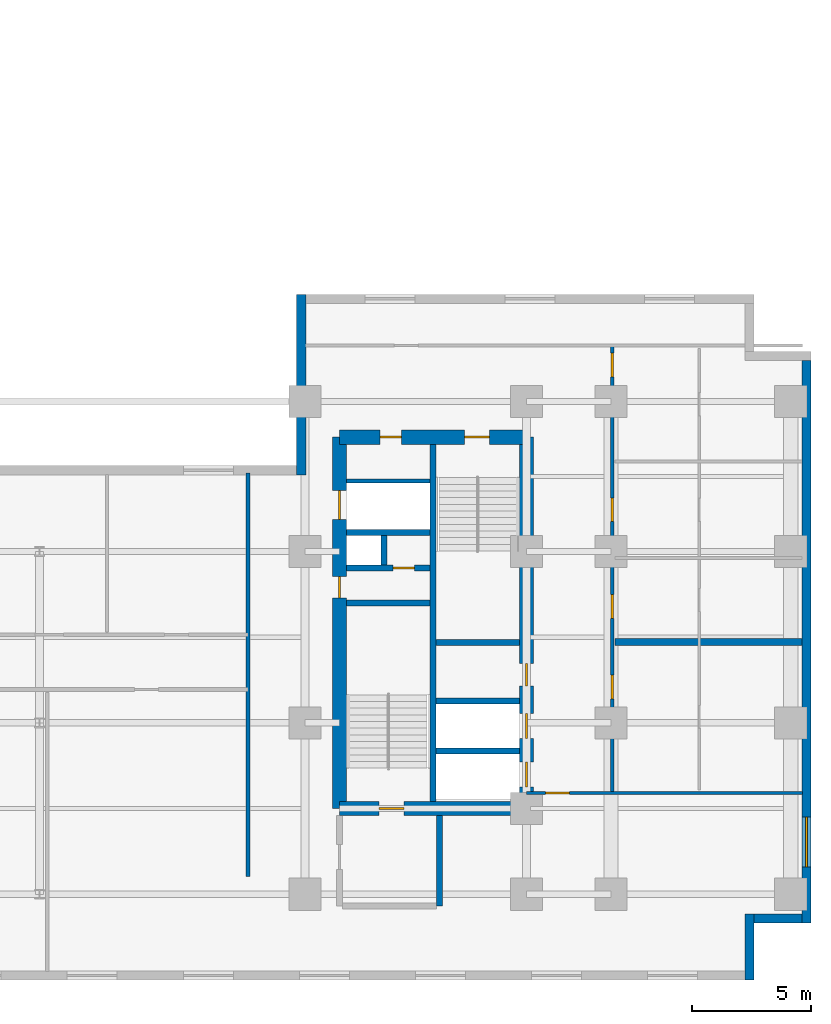
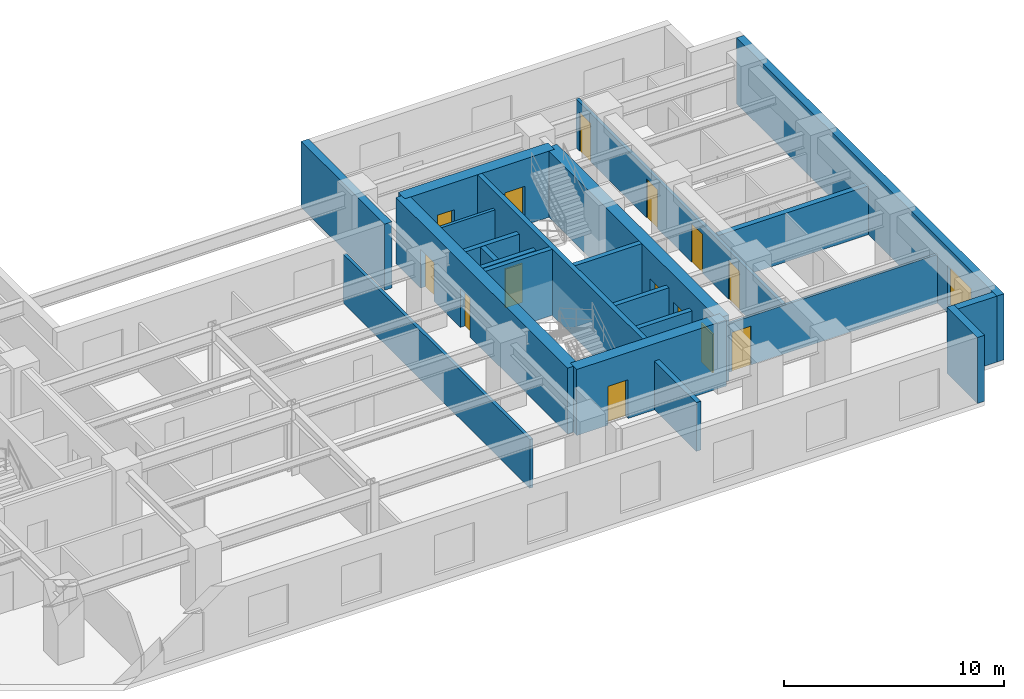
# One storey, part 5 of 10: 22 walls, 14 doors, 1 window, 15 openings.
"""IFC4 building model written with IfcOpenShell, lengths in metres."""

from ifc_helpers import new_model, entity, si_unit, converted_unit, direction, frame, origin_with_axes, origin_2d_with_axis, place, context, subcontext, project, spatial, polyline, rectangle, outline, extrude, material, layer, layer_set, type_object, element, fill, save


model = new_model("IFC4")

# Units and contexts
model_context = context("Model", 3, precision=1e-05, world=origin_with_axes(), true_north=direction((0.0, 1.0)))
body_context = subcontext(model_context, "Body", "Model", "MODEL_VIEW")
ifc_project = project(units=[si_unit("LENGTHUNIT", "METRE"), si_unit("AREAUNIT", "SQUARE_METRE"), si_unit("VOLUMEUNIT", "CUBIC_METRE"), converted_unit("PLANEANGLEUNIT", "DEGREE", entity("IfcPlaneAngleMeasure", 0.017453292519943295), si_unit("PLANEANGLEUNIT", "RADIAN"), dimensions=[0, 0, 0, 0, 0, 0, 0]), si_unit("MASSUNIT", "GRAM", prefix="KILO"), si_unit("THERMODYNAMICTEMPERATUREUNIT", "KELVIN")], contexts=[model_context])

# Site, building, storey
site_placement = place(None, origin_with_axes())
site = spatial("IfcSite", under=ifc_project, at=site_placement, CompositionType="ELEMENT")
building_placement = place(site_placement, origin_with_axes())
building = spatial("IfcBuilding", under=site, at=building_placement, Name="Varnlund Millrace Tower", CompositionType="ELEMENT")
storey_placement = place(building_placement, frame((0.0, 0.0, 48.3), z_axis=(0.0, 0.0, 1.0), x_axis=(1.0, 0.0, 0.0)))
storey = spatial("IfcBuildingStorey", under=building, at=storey_placement, Name="L11", CompositionType="ELEMENT", Elevation=48.3)

# Wall, openings, doors
ifc_material_1 = material(Name="Concrete C80/95", Category="concrete")
ifc_layer_1 = layer(ifc_material_1, 0.6, Name="Concrete C80/95")
ifc_layer_set_1 = layer_set([ifc_layer_1], Name="Concrete C80/95")
wall_type_1 = type_object("IfcWallType", Name="Type-CoreWall-Shear-600-C80", PredefinedType="SHEAR", material=ifc_layer_set_1)
wall_1_placement = place(storey_placement, frame((40.2, 7.2, 0.0), z_axis=(0.0, 0.0, 1.0), x_axis=(0.0, 1.0, 0.0)))
wall_1 = element("IfcWall", 1, at=wall_1_placement, inside=storey, type_object=wall_type_1, Name="Type-CoreWall-Shear-600-C80", PredefinedType="SHEAR", context=body_context, shape_type="SweptSolid", body=[
    extrude(outline(polyline([(0.0, -0.3), (15.6, -0.3), (15.6, 0.3), (0.0, 0.3), (0.0, -0.3)])), origin_with_axes(), (0.0, 0.0, 1.0), 3.66),
])
opening_1_placement = place(wall_1_placement, frame((12.75, 0.0, 0.0), z_axis=(0.0, 0.0, 1.0), x_axis=(1.0, 0.0, 0.0)))
opening_1 = element("IfcOpeningElement", 2, at=opening_1_placement, cuts=wall_1, Name="Opening L11:LD-SRV2", PredefinedType="OPENING", context=body_context, shape_type="SweptSolid", body=[
    extrude(rectangle(XDim=1.2, YDim=0.62, at=origin_2d_with_axis()), origin_with_axes(), (0.0, 0.0, 1.0), 2.15),
])
opening_2_placement = place(wall_1_placement, frame((9.3, 0.0, 0.0), z_axis=(0.0, 0.0, 1.0), x_axis=(1.0, 0.0, 0.0)))
opening_2 = element("IfcOpeningElement", 3, at=opening_2_placement, cuts=wall_1, Name="Opening L11:DR-CB-JAN", PredefinedType="OPENING", context=body_context, shape_type="SweptSolid", body=[
    extrude(rectangle(XDim=0.9, YDim=0.62, at=origin_2d_with_axis()), origin_with_axes(), (0.0, 0.0, 1.0), 2.15),
])
ifc_material_2 = material(Name="Fire-rated hollow steel service closet door", Category="steel")
door_type_1 = type_object("IfcDoorType", Name="Type-FireDoor-Closet-900X2150", OperationType="NOTDEFINED", PredefinedType="DOOR", material=ifc_material_2)
door_1_placement = place(wall_1_placement, frame((9.3, 0.0, 0.0), z_axis=(0.0, 0.0, 1.0), x_axis=(1.0, 0.0, 0.0)))
door_1 = element("IfcDoor", 4, at=door_1_placement, inside=storey, type_object=door_type_1, Name="Type-FireDoor-Closet-900X2150", OperationType="SINGLE_SWING_RIGHT", OverallHeight=2.15, OverallWidth=0.9, PredefinedType="DOOR", context=body_context, shape_type="SweptSolid", body=[
    extrude(rectangle(XDim=0.9, YDim=0.09, at=origin_2d_with_axis()), origin_with_axes(), (0.0, 0.0, 1.0), 2.15),
])
fill(opening_2, door_1)
ifc_material_3 = material(Name="Heavy-duty freight sliding landing door")
door_type_2 = type_object("IfcDoorType", Name="Type-LiftLandingDoor-Service-1200X2150", OperationType="NOTDEFINED", PredefinedType="DOOR", material=ifc_material_3)
door_2_placement = place(wall_1_placement, frame((12.75, 0.0, 0.0), z_axis=(0.0, 0.0, 1.0), x_axis=(1.0, 0.0, 0.0)))
door_2 = element("IfcDoor", 5, at=door_2_placement, inside=storey, type_object=door_type_2, Name="Type-LiftLandingDoor-Service-1200X2150", OperationType="DOUBLE_DOOR_SLIDING", OverallHeight=2.15, OverallWidth=1.2, PredefinedType="DOOR", context=body_context, shape_type="SweptSolid", body=[
    extrude(rectangle(XDim=1.2, YDim=0.09, at=origin_2d_with_axis()), origin_with_axes(), (0.0, 0.0, 1.0), 2.15),
])
fill(opening_1, door_2)

# Wall, opening, door
wall_2_placement = place(storey_placement, frame((40.2, 7.2, 0.0), z_axis=(0.0, 0.0, 1.0), x_axis=(1.0, 0.0, 0.0)))
wall_2 = element("IfcWall", 6, at=wall_2_placement, inside=storey, type_object=wall_type_1, Name="Type-CoreWall-Shear-600-C80", PredefinedType="SHEAR", context=body_context, shape_type="SweptSolid", body=[
    extrude(outline(polyline([(0.0, -0.3), (7.85, -0.3), (7.85, 0.3), (0.0, 0.3), (0.0, -0.3)])), origin_with_axes(), (0.0, 0.0, 1.0), 3.66),
])
opening_3_placement = place(wall_2_placement, frame((2.175, 0.0, 0.0), z_axis=(0.0, 0.0, 1.0), x_axis=(1.0, 0.0, 0.0)))
opening_3 = element("IfcOpeningElement", 7, at=opening_3_placement, cuts=wall_2, Name="Opening L11:DR-STB1", PredefinedType="OPENING", context=body_context, shape_type="SweptSolid", body=[
    extrude(rectangle(XDim=1.05, YDim=0.62, at=origin_2d_with_axis()), origin_with_axes(), (0.0, 0.0, 1.0), 2.15),
])
ifc_material_4 = material(Name="Fire-rated hollow steel door", Category="steel")
door_type_3 = type_object("IfcDoorType", Name="Type-FireDoor-Stair-1050X2150", OperationType="NOTDEFINED", PredefinedType="DOOR", material=ifc_material_4)
door_3_placement = place(wall_2_placement, frame((2.175, 0.0, 0.0), z_axis=(0.0, 0.0, 1.0), x_axis=(1.0, 0.0, 0.0)))
door_3 = element("IfcDoor", 8, at=door_3_placement, inside=storey, type_object=door_type_3, Name="Type-FireDoor-Stair-1050X2150", OperationType="SINGLE_SWING_LEFT", OverallHeight=2.15, OverallWidth=1.05, PredefinedType="DOOR", context=body_context, shape_type="SweptSolid", body=[
    extrude(rectangle(XDim=1.05, YDim=0.09, at=origin_2d_with_axis()), origin_with_axes(), (0.0, 0.0, 1.0), 2.15),
])
fill(opening_3, door_3)

# Wall, openings, doors
wall_3_placement = place(storey_placement, frame((40.2, 22.8, 0.0), z_axis=(0.0, 0.0, 1.0), x_axis=(1.0, 0.0, 0.0)))
wall_3 = element("IfcWall", 9, at=wall_3_placement, inside=storey, type_object=wall_type_1, Name="Type-CoreWall-Shear-600-C80", PredefinedType="SHEAR", context=body_context, shape_type="SweptSolid", body=[
    extrude(outline(polyline([(0.0, -0.3), (7.85, -0.3), (7.85, 0.3), (0.0, 0.3), (0.0, -0.3)])), origin_with_axes(), (0.0, 0.0, 1.0), 3.66),
])
opening_4_placement = place(wall_3_placement, frame((5.775, 0.0, 0.0), z_axis=(0.0, 0.0, 1.0), x_axis=(1.0, 0.0, 0.0)))
opening_4 = element("IfcOpeningElement", 10, at=opening_4_placement, cuts=wall_3, Name="Opening L11:DR-STB2", PredefinedType="OPENING", context=body_context, shape_type="SweptSolid", body=[
    extrude(rectangle(XDim=1.05, YDim=0.62, at=origin_2d_with_axis()), origin_with_axes(), (0.0, 0.0, 1.0), 2.15),
])
opening_5_placement = place(wall_3_placement, frame((2.15, 0.0, 0.0), z_axis=(0.0, 0.0, 1.0), x_axis=(1.0, 0.0, 0.0)))
opening_5 = element("IfcOpeningElement", 11, at=opening_5_placement, cuts=wall_3, Name="Opening L11:DR-CB-NW", PredefinedType="OPENING", context=body_context, shape_type="SweptSolid", body=[
    extrude(rectangle(XDim=0.9, YDim=0.62, at=origin_2d_with_axis()), origin_with_axes(), (0.0, 0.0, 1.0), 2.15),
])
door_4_placement = place(wall_3_placement, frame((2.15, 0.0, 0.0), z_axis=(0.0, 0.0, 1.0), x_axis=(1.0, 0.0, 0.0)))
door_4 = element("IfcDoor", 12, at=door_4_placement, inside=storey, type_object=door_type_1, Name="Type-FireDoor-Closet-900X2150", OperationType="SINGLE_SWING_LEFT", OverallHeight=2.15, OverallWidth=0.9, PredefinedType="DOOR", context=body_context, shape_type="SweptSolid", body=[
    extrude(rectangle(XDim=0.9, YDim=0.09, at=origin_2d_with_axis()), origin_with_axes(), (0.0, 0.0, 1.0), 2.15),
])
fill(opening_5, door_4)
door_5_placement = place(wall_3_placement, frame((5.775, 0.0, 0.0), z_axis=(0.0, 0.0, 1.0), x_axis=(1.0, 0.0, 0.0)))
door_5 = element("IfcDoor", 13, at=door_5_placement, inside=storey, type_object=door_type_3, Name="Type-FireDoor-Stair-1050X2150", OperationType="SINGLE_SWING_RIGHT", OverallHeight=2.15, OverallWidth=1.05, PredefinedType="DOOR", context=body_context, shape_type="SweptSolid", body=[
    extrude(rectangle(XDim=1.05, YDim=0.09, at=origin_2d_with_axis()), origin_with_axes(), (0.0, 0.0, 1.0), 2.15),
])
fill(opening_4, door_5)

wall_4_placement = place(storey_placement, frame((48.05, 7.2, 0.0), z_axis=(0.0, 0.0, 1.0), x_axis=(0.0, 1.0, 0.0)))
wall_4 = element("IfcWall", 14, at=wall_4_placement, inside=storey, type_object=wall_type_1, Name="Type-CoreWall-Shear-600-C80", PredefinedType="SHEAR", context=body_context, shape_type="SweptSolid", body=[
    extrude(outline(polyline([(0.0, -0.3), (15.6, -0.3), (15.6, 0.3), (0.0, 0.3), (0.0, -0.3)])), origin_with_axes(), (0.0, 0.0, 1.0), 3.66),
])
opening_6_placement = place(wall_4_placement, frame((1.425, 0.0, 0.0), z_axis=(0.0, 0.0, 1.0), x_axis=(1.0, 0.0, 0.0)))
opening_6 = element("IfcOpeningElement", 15, at=opening_6_placement, cuts=wall_4, Name="Opening L11:LD-ELV-L3", PredefinedType="OPENING", context=body_context, shape_type="SweptSolid", body=[
    extrude(rectangle(XDim=1.05, YDim=0.62, at=origin_2d_with_axis()), origin_with_axes(), (0.0, 0.0, 1.0), 2.15),
])
opening_7_placement = place(wall_4_placement, frame((3.475, 0.0, 0.0), z_axis=(0.0, 0.0, 1.0), x_axis=(1.0, 0.0, 0.0)))
opening_7 = element("IfcOpeningElement", 16, at=opening_7_placement, cuts=wall_4, Name="Opening L11:LD-ELV-L4", PredefinedType="OPENING", context=body_context, shape_type="SweptSolid", body=[
    extrude(rectangle(XDim=1.05, YDim=0.62, at=origin_2d_with_axis()), origin_with_axes(), (0.0, 0.0, 1.0), 2.15),
])
opening_8_placement = place(wall_4_placement, frame((5.625, 0.0, 0.0), z_axis=(0.0, 0.0, 1.0), x_axis=(1.0, 0.0, 0.0)))
opening_8 = element("IfcOpeningElement", 17, at=opening_8_placement, cuts=wall_4, Name="Opening L11:DR-CB-WC", PredefinedType="OPENING", context=body_context, shape_type="SweptSolid", body=[
    extrude(rectangle(XDim=0.95, YDim=0.62, at=origin_2d_with_axis()), origin_with_axes(), (0.0, 0.0, 1.0), 2.15),
])
ifc_material_5 = material(Name="Fire-rated hollow steel core service door", Category="steel")
door_type_4 = type_object("IfcDoorType", Name="Type-FireDoor-Service-950X2150", OperationType="NOTDEFINED", PredefinedType="DOOR", material=ifc_material_5)
door_6_placement = place(wall_4_placement, frame((5.625, 0.0, 0.0), z_axis=(0.0, 0.0, 1.0), x_axis=(1.0, 0.0, 0.0)))
door_6 = element("IfcDoor", 18, at=door_6_placement, inside=storey, type_object=door_type_4, Name="Type-FireDoor-Service-950X2150", OperationType="SINGLE_SWING_LEFT", OverallHeight=2.15, OverallWidth=0.95, PredefinedType="DOOR", context=body_context, shape_type="SweptSolid", body=[
    extrude(rectangle(XDim=0.95, YDim=0.09, at=origin_2d_with_axis()), origin_with_axes(), (0.0, 0.0, 1.0), 2.15),
])
fill(opening_8, door_6)
ifc_material_6 = material(Name="Architectural bronze sliding landing door")
door_type_5 = type_object("IfcDoorType", Name="Type-LiftLandingDoor-Compact-1050X2150", OperationType="NOTDEFINED", PredefinedType="DOOR", material=ifc_material_6)
door_7_placement = place(wall_4_placement, frame((1.425, 0.0, 0.0), z_axis=(0.0, 0.0, 1.0), x_axis=(1.0, 0.0, 0.0)))
door_7 = element("IfcDoor", 19, at=door_7_placement, inside=storey, type_object=door_type_5, Name="Type-LiftLandingDoor-Compact-1050X2150", OperationType="SLIDING_TO_LEFT", OverallHeight=2.15, OverallWidth=1.05, PredefinedType="DOOR", context=body_context, shape_type="SweptSolid", body=[
    extrude(rectangle(XDim=1.05, YDim=0.09, at=origin_2d_with_axis()), origin_with_axes(), (0.0, 0.0, 1.0), 2.15),
])
fill(opening_6, door_7)
door_8_placement = place(wall_4_placement, frame((3.475, 0.0, 0.0), z_axis=(0.0, 0.0, 1.0), x_axis=(1.0, 0.0, 0.0)))
door_8 = element("IfcDoor", 20, at=door_8_placement, inside=storey, type_object=door_type_5, Name="Type-LiftLandingDoor-Compact-1050X2150", OperationType="SLIDING_TO_RIGHT", OverallHeight=2.15, OverallWidth=1.05, PredefinedType="DOOR", context=body_context, shape_type="SweptSolid", body=[
    extrude(rectangle(XDim=1.05, YDim=0.09, at=origin_2d_with_axis()), origin_with_axes(), (0.0, 0.0, 1.0), 2.15),
])
fill(opening_7, door_8)

# Wall
ifc_material_7 = material(Name="Precast concrete C50/60", Category="concrete")
ifc_layer_2 = layer(ifc_material_7, 0.38, Name="Precast concrete C50/60")
ifc_layer_set_2 = layer_set([ifc_layer_2], Name="Precast concrete C50/60")
wall_type_2 = type_object("IfcWallType", Name="Type-ExtWall-Precast-Tube-380", PredefinedType="SOLIDWALL", material=ifc_layer_set_2)
wall_5_placement = place(storey_placement, frame((38.59, 21.22, 0.0), z_axis=(0.0, 0.0, 1.0), x_axis=(0.0, 1.0, 0.0)))
element("IfcWall", 21, at=wall_5_placement, inside=storey, type_object=wall_type_2, Name="Type-ExtWall-Precast-Tube-380", PredefinedType="SOLIDWALL", context=body_context, shape_type="SweptSolid", body=[
    extrude(outline(polyline([(0.0, -0.19), (7.58, -0.19), (7.58, 0.19), (0.0, 0.19), (0.0, -0.19)])), origin_with_axes(), (0.0, 0.0, 1.0), 3.66),
])

# Wall, opening, window
wall_6_placement = place(storey_placement, frame((59.81, 26.02, 0.0), z_axis=(0.0, 0.0, 1.0), x_axis=(0.0, -1.0, 0.0)))
wall_6 = element("IfcWall", 22, at=wall_6_placement, inside=storey, type_object=wall_type_2, Name="Type-ExtWall-Precast-Tube-380", PredefinedType="SOLIDWALL", context=body_context, shape_type="SweptSolid", body=[
    extrude(outline(polyline([(0.0, -0.19), (23.62, -0.19), (23.62, 0.19), (0.0, 0.19), (0.0, -0.19)])), origin_with_axes(), (0.0, 0.0, 1.0), 3.66),
])
opening_9_placement = place(wall_6_placement, frame((20.218, 0.0, 0.45), z_axis=(0.0, 0.0, 1.0), x_axis=(1.0, 0.0, 0.0)))
opening_9 = element("IfcOpeningElement", 23, at=opening_9_placement, cuts=wall_6, Name="Opening L11:WN-04", PredefinedType="OPENING", context=body_context, shape_type="SweptSolid", body=[
    extrude(rectangle(XDim=2.1, YDim=0.4, at=origin_2d_with_axis()), origin_with_axes(), (0.0, 0.0, 1.0), 2.2),
])
ifc_material_8 = material(Name="Argon low-e triple glazing in thermally broken bronze frame", Category="glass")
window_type = type_object("IfcWindowType", Name="Type-Window-Punched-2100X2200", PartitioningType="SINGLE_PANEL", PredefinedType="WINDOW", material=ifc_material_8)
window_placement = place(wall_6_placement, frame((20.218, 0.0, 0.45), z_axis=(0.0, 0.0, 1.0), x_axis=(1.0, 0.0, 0.0)))
window = element("IfcWindow", 24, at=window_placement, inside=storey, type_object=window_type, Name="Type-Window-Punched-2100X2200", OverallHeight=2.2, OverallWidth=2.1, PredefinedType="WINDOW", context=body_context, shape_type="SweptSolid", body=[
    extrude(rectangle(XDim=2.1, YDim=0.09, at=origin_2d_with_axis()), origin_with_axes(), (0.0, 0.0, 1.0), 2.2),
])
fill(opening_9, window)

# Walls
wall_7_placement = place(storey_placement, frame((59.62, 2.59, 0.0), z_axis=(0.0, 0.0, 1.0), x_axis=(-1.0, 0.0, 0.0)))
element("IfcWall", 25, at=wall_7_placement, inside=storey, type_object=wall_type_2, Name="Type-ExtWall-Precast-Tube-380", PredefinedType="SOLIDWALL", context=body_context, shape_type="SweptSolid", body=[
    extrude(outline(polyline([(0.0, -0.19), (2.02, -0.19), (2.02, 0.19), (0.0, 0.19), (0.0, -0.19)])), origin_with_axes(), (0.0, 0.0, 1.0), 3.66),
])
wall_8_placement = place(storey_placement, frame((57.41, 2.78, 0.0), z_axis=(0.0, 0.0, 1.0), x_axis=(0.0, -1.0, 0.0)))
element("IfcWall", 26, at=wall_8_placement, inside=storey, type_object=wall_type_2, Name="Type-ExtWall-Precast-Tube-380", PredefinedType="SOLIDWALL", context=body_context, shape_type="SweptSolid", body=[
    extrude(outline(polyline([(0.0, -0.19), (2.78, -0.19), (2.78, 0.19), (0.0, 0.19), (0.0, -0.19)])), origin_with_axes(), (0.0, 0.0, 1.0), 3.66),
])
ifc_material_9 = material(Name="Double-stud STC-60 conference acoustic partition", Category="gypsum")
ifc_layer_3 = layer(ifc_material_9, 0.28, Name="Double-stud STC-60 conference acoustic partition")
ifc_layer_set_3 = layer_set([ifc_layer_3], Name="Double-stud STC-60 conference acoustic partition")
wall_type_3 = type_object("IfcWallType", Name="Type-Partition-Acoustic-280", PredefinedType="PARTITIONING", material=ifc_layer_set_3)
wall_9_placement = place(storey_placement, frame((51.77, 14.196, 0.0), z_axis=(0.0, 0.0, 1.0), x_axis=(1.0, 0.0, 0.0)))
element("IfcWall", 27, at=wall_9_placement, inside=storey, type_object=wall_type_3, Name="Type-Partition-Acoustic-280", PredefinedType="PARTITIONING", context=body_context, shape_type="SweptSolid", body=[
    extrude(outline(polyline([(0.0, -0.14), (7.855, -0.14), (7.855, 0.14), (0.0, 0.14), (0.0, -0.14)])), origin_with_axes(), (0.0, 0.0, 1.0), 2.7),
])
ifc_material_10 = material(Name="Fire-rated gypsum board on cold-formed steel framing", Category="steel")
ifc_layer_4 = layer(ifc_material_10, 0.16, Name="Fire-rated gypsum board on cold-formed steel framing")
ifc_layer_set_4 = layer_set([ifc_layer_4], Name="Fire-rated gypsum board on cold-formed steel framing")
wall_type_4 = type_object("IfcWallType", Name="Type-Partition-Corridor-160", PredefinedType="PARTITIONING", material=ifc_layer_set_4)
wall_10_placement = place(storey_placement, frame((40.5, 20.96, 0.0), z_axis=(0.0, 0.0, 1.0), x_axis=(1.0, 0.0, 0.0)))
element("IfcWall", 28, at=wall_10_placement, inside=storey, type_object=wall_type_4, Name="Type-Partition-Corridor-160", PredefinedType="PARTITIONING", context=body_context, shape_type="SweptSolid", body=[
    extrude(outline(polyline([(0.0, -0.08), (3.5, -0.08), (3.5, 0.08), (0.0, 0.08), (0.0, -0.08)])), origin_with_axes(), (0.0, 0.0, 1.0), 2.7),
])
wall_11_placement = place(storey_placement, frame((36.35, 4.35, 0.0), z_axis=(0.0, 0.0, 1.0), x_axis=(0.0, 1.0, 0.0)))
element("IfcWall", 29, at=wall_11_placement, inside=storey, type_object=wall_type_4, Name="Type-Partition-Corridor-160", PredefinedType="PARTITIONING", context=body_context, shape_type="SweptSolid", body=[
    extrude(outline(polyline([(0.0, -0.08), (16.95, -0.08), (16.95, 0.08), (0.0, 0.08), (0.0, -0.08)])), origin_with_axes(), (0.0, 0.0, 1.0), 2.7),
])

# Wall, openings, doors
wall_12_placement = place(storey_placement, frame((51.65, 7.85, 0.0), z_axis=(0.0, 0.0, 1.0), x_axis=(0.0, 1.0, 0.0)))
wall_12 = element("IfcWall", 30, at=wall_12_placement, inside=storey, type_object=wall_type_4, Name="Type-Partition-Corridor-160", PredefinedType="PARTITIONING", context=body_context, shape_type="SweptSolid", body=[
    extrude(outline(polyline([(0.0, -0.08), (18.8, -0.08), (18.8, 0.08), (0.0, 0.08), (0.0, -0.08)])), origin_with_axes(), (0.0, 0.0, 1.0), 2.7),
])
opening_10_placement = place(wall_12_placement, frame((4.453, 0.0, 0.0), z_axis=(0.0, 0.0, 1.0), x_axis=(1.0, 0.0, 0.0)))
opening_10 = element("IfcOpeningElement", 31, at=opening_10_placement, cuts=wall_12, Name="Opening L11:DR-WB-01", PredefinedType="OPENING", context=body_context, shape_type="SweptSolid", body=[
    extrude(rectangle(XDim=1.0, YDim=0.18, at=origin_2d_with_axis()), origin_with_axes(), (0.0, 0.0, 1.0), 2.15),
])
opening_11_placement = place(wall_12_placement, frame((7.831, 0.0, 0.0), z_axis=(0.0, 0.0, 1.0), x_axis=(1.0, 0.0, 0.0)))
opening_11 = element("IfcOpeningElement", 32, at=opening_11_placement, cuts=wall_12, Name="Opening L11:DR-WB-02", PredefinedType="OPENING", context=body_context, shape_type="SweptSolid", body=[
    extrude(rectangle(XDim=1.0, YDim=0.18, at=origin_2d_with_axis()), origin_with_axes(), (0.0, 0.0, 1.0), 2.15),
])
opening_12_placement = place(wall_12_placement, frame((11.898, 0.0, 0.0), z_axis=(0.0, 0.0, 1.0), x_axis=(1.0, 0.0, 0.0)))
opening_12 = element("IfcOpeningElement", 33, at=opening_12_placement, cuts=wall_12, Name="Opening L11:DR-WB-03", PredefinedType="OPENING", context=body_context, shape_type="SweptSolid", body=[
    extrude(rectangle(XDim=1.0, YDim=0.18, at=origin_2d_with_axis()), origin_with_axes(), (0.0, 0.0, 1.0), 2.15),
])
opening_13_placement = place(wall_12_placement, frame((17.98, 0.0, 0.0), z_axis=(0.0, 0.0, 1.0), x_axis=(1.0, 0.0, 0.0)))
opening_13 = element("IfcOpeningElement", 34, at=opening_13_placement, cuts=wall_12, Name="Opening L11:DR-WB-04", PredefinedType="OPENING", context=body_context, shape_type="SweptSolid", body=[
    extrude(rectangle(XDim=1.0, YDim=0.18, at=origin_2d_with_axis()), origin_with_axes(), (0.0, 0.0, 1.0), 2.15),
])
ifc_material_11 = material(Name="Solid-core white oak and bronze frame door")
door_type_6 = type_object("IfcDoorType", Name="Type-IntDoor-Office-1000X2150", OperationType="NOTDEFINED", PredefinedType="DOOR", material=ifc_material_11)
door_9_placement = place(wall_12_placement, frame((4.453, 0.0, 0.0), z_axis=(0.0, 0.0, 1.0), x_axis=(1.0, 0.0, 0.0)))
door_9 = element("IfcDoor", 35, at=door_9_placement, inside=storey, type_object=door_type_6, Name="Type-IntDoor-Office-1000X2150", OperationType="SINGLE_SWING_LEFT", OverallHeight=2.15, OverallWidth=1.0, PredefinedType="DOOR", context=body_context, shape_type="SweptSolid", body=[
    extrude(rectangle(XDim=1.0, YDim=0.09, at=origin_2d_with_axis()), origin_with_axes(), (0.0, 0.0, 1.0), 2.15),
])
fill(opening_10, door_9)
door_10_placement = place(wall_12_placement, frame((7.831, 0.0, 0.0), z_axis=(0.0, 0.0, 1.0), x_axis=(1.0, 0.0, 0.0)))
door_10 = element("IfcDoor", 36, at=door_10_placement, inside=storey, type_object=door_type_6, Name="Type-IntDoor-Office-1000X2150", OperationType="SINGLE_SWING_RIGHT", OverallHeight=2.15, OverallWidth=1.0, PredefinedType="DOOR", context=body_context, shape_type="SweptSolid", body=[
    extrude(rectangle(XDim=1.0, YDim=0.09, at=origin_2d_with_axis()), origin_with_axes(), (0.0, 0.0, 1.0), 2.15),
])
fill(opening_11, door_10)
door_11_placement = place(wall_12_placement, frame((11.898, 0.0, 0.0), z_axis=(0.0, 0.0, 1.0), x_axis=(1.0, 0.0, 0.0)))
door_11 = element("IfcDoor", 37, at=door_11_placement, inside=storey, type_object=door_type_6, Name="Type-IntDoor-Office-1000X2150", OperationType="SINGLE_SWING_LEFT", OverallHeight=2.15, OverallWidth=1.0, PredefinedType="DOOR", context=body_context, shape_type="SweptSolid", body=[
    extrude(rectangle(XDim=1.0, YDim=0.09, at=origin_2d_with_axis()), origin_with_axes(), (0.0, 0.0, 1.0), 2.15),
])
fill(opening_12, door_11)
door_12_placement = place(wall_12_placement, frame((17.98, 0.0, 0.0), z_axis=(0.0, 0.0, 1.0), x_axis=(1.0, 0.0, 0.0)))
door_12 = element("IfcDoor", 38, at=door_12_placement, inside=storey, type_object=door_type_6, Name="Type-IntDoor-Office-1000X2150", OperationType="SINGLE_SWING_RIGHT", OverallHeight=2.15, OverallWidth=1.0, PredefinedType="DOOR", context=body_context, shape_type="SweptSolid", body=[
    extrude(rectangle(XDim=1.0, YDim=0.09, at=origin_2d_with_axis()), origin_with_axes(), (0.0, 0.0, 1.0), 2.15),
])
fill(opening_13, door_12)

# Wall, opening, door
ifc_material_12 = material(Name="Gypsum board tenant partition", Category="gypsum")
ifc_layer_5 = layer(ifc_material_12, 0.125, Name="Gypsum board tenant partition")
ifc_layer_set_5 = layer_set([ifc_layer_5], Name="Gypsum board tenant partition")
wall_type_5 = type_object("IfcWallType", Name="Type-Partition-Tenant-125", PredefinedType="PARTITIONING", material=ifc_layer_set_5)
wall_13_placement = place(storey_placement, frame((59.64, 7.85, 0.0), z_axis=(0.0, 0.0, 1.0), x_axis=(-1.0, 0.0, 0.0)))
wall_13 = element("IfcWall", 39, at=wall_13_placement, inside=storey, type_object=wall_type_5, Name="Type-Partition-Tenant-125", PredefinedType="PARTITIONING", context=body_context, shape_type="SweptSolid", body=[
    extrude(outline(polyline([(0.0, -0.0625), (11.59, -0.0625), (11.59, 0.0625), (0.0, 0.0625), (0.0, -0.0625)])), origin_with_axes(), (0.0, 0.0, 1.0), 2.7),
])
opening_14_placement = place(wall_13_placement, frame((10.29, 0.0, 0.0), z_axis=(0.0, 0.0, 1.0), x_axis=(1.0, 0.0, 0.0)))
opening_14 = element("IfcOpeningElement", 40, at=opening_14_placement, cuts=wall_13, Name="Opening L11:DR-WBS-01", PredefinedType="OPENING", context=body_context, shape_type="SweptSolid", body=[
    extrude(rectangle(XDim=1.0, YDim=0.145, at=origin_2d_with_axis()), origin_with_axes(), (0.0, 0.0, 1.0), 2.15),
])
door_13_placement = place(wall_13_placement, frame((10.29, 0.0, 0.0), z_axis=(0.0, 0.0, 1.0), x_axis=(1.0, 0.0, 0.0)))
door_13 = element("IfcDoor", 41, at=door_13_placement, inside=storey, type_object=door_type_6, Name="Type-IntDoor-Office-1000X2150", OperationType="SINGLE_SWING_LEFT", OverallHeight=2.15, OverallWidth=1.0, PredefinedType="DOOR", context=body_context, shape_type="SweptSolid", body=[
    extrude(rectangle(XDim=1.0, YDim=0.075, at=origin_2d_with_axis()), origin_with_axes(), (0.0, 0.0, 1.0), 2.15),
])
fill(opening_14, door_13)

ifc_material_13 = material(Name="Concrete C60/75", Category="concrete")
ifc_layer_6 = layer(ifc_material_13, 0.25, Name="Concrete C60/75")
ifc_layer_set_6 = layer_set([ifc_layer_6], Name="Concrete C60/75")
wall_type_6 = type_object("IfcWallType", Name="Type-ShaftWall-Fire-250", PredefinedType="SOLIDWALL", material=ifc_layer_set_6)
wall_14_placement = place(storey_placement, frame((40.5, 17.3, 0.0), z_axis=(0.0, 0.0, 1.0), x_axis=(1.0, 0.0, 0.0)))
wall_14 = element("IfcWall", 42, at=wall_14_placement, inside=storey, type_object=wall_type_6, Name="Type-ShaftWall-Fire-250", PredefinedType="SOLIDWALL", context=body_context, shape_type="SweptSolid", body=[
    extrude(outline(polyline([(0.0, -0.125), (3.5, -0.125), (3.5, 0.125), (0.0, 0.125), (0.0, -0.125)])), origin_with_axes(), (0.0, 0.0, 1.0), 2.7),
])
opening_15_placement = place(wall_14_placement, frame((2.4, 0.0, 0.0), z_axis=(0.0, 0.0, 1.0), x_axis=(1.0, 0.0, 0.0)))
opening_15 = element("IfcOpeningElement", 43, at=opening_15_placement, cuts=wall_14, Name="Opening L11:DR-CB-ELC", PredefinedType="OPENING", context=body_context, shape_type="SweptSolid", body=[
    extrude(rectangle(XDim=0.9, YDim=0.27, at=origin_2d_with_axis()), origin_with_axes(), (0.0, 0.0, 1.0), 2.15),
])
door_14_placement = place(wall_14_placement, frame((2.4, 0.0, 0.0), z_axis=(0.0, 0.0, 1.0), x_axis=(1.0, 0.0, 0.0)))
door_14 = element("IfcDoor", 44, at=door_14_placement, inside=storey, type_object=door_type_1, Name="Type-FireDoor-Closet-900X2150", OperationType="SINGLE_SWING_LEFT", OverallHeight=2.15, OverallWidth=0.9, PredefinedType="DOOR", context=body_context, shape_type="SweptSolid", body=[
    extrude(rectangle(XDim=0.9, YDim=0.09, at=origin_2d_with_axis()), origin_with_axes(), (0.0, 0.0, 1.0), 2.15),
])
fill(opening_15, door_14)

# Walls
wall_15_placement = place(storey_placement, frame((40.5, 18.8, 0.0), z_axis=(0.0, 0.0, 1.0), x_axis=(1.0, 0.0, 0.0)))
element("IfcWall", 45, at=wall_15_placement, inside=storey, type_object=wall_type_6, Name="Type-ShaftWall-Fire-250", PredefinedType="SOLIDWALL", context=body_context, shape_type="SweptSolid", body=[
    extrude(outline(polyline([(0.0, -0.125), (3.5, -0.125), (3.5, 0.125), (0.0, 0.125), (0.0, -0.125)])), origin_with_axes(), (0.0, 0.0, 1.0), 2.7),
])
wall_16_placement = place(storey_placement, frame((42.075, 17.43, 0.0), z_axis=(0.0, 0.0, 1.0), x_axis=(0.0, 1.0, 0.0)))
element("IfcWall", 46, at=wall_16_placement, inside=storey, type_object=wall_type_6, Name="Type-ShaftWall-Fire-250", PredefinedType="SOLIDWALL", context=body_context, shape_type="SweptSolid", body=[
    extrude(outline(polyline([(0.0, -0.125), (1.24, -0.125), (1.24, 0.125), (0.0, 0.125), (0.0, -0.125)])), origin_with_axes(), (0.0, 0.0, 1.0), 2.7),
])
wall_17_placement = place(storey_placement, frame((44.4, 3.1, 0.0), z_axis=(0.0, 0.0, 1.0), x_axis=(0.0, 1.0, 0.0)))
element("IfcWall", 47, at=wall_17_placement, inside=storey, type_object=wall_type_6, Name="Type-ShaftWall-Fire-250", PredefinedType="SOLIDWALL", context=body_context, shape_type="SweptSolid", body=[
    extrude(outline(polyline([(0.0, -0.125), (3.8, -0.125), (3.8, 0.125), (0.0, 0.125), (0.0, -0.125)])), origin_with_axes(), (0.0, 0.0, 1.0), 2.7),
])
for number, where, z_axis, x_axis, name in (
    (48, (44.25, 9.62, 0.0), (0.0, 0.0, 1.0), (1.0, 0.0, 0.0), "Type-ShaftWall-Fire-250"),
    (49, (44.25, 11.72, 0.0), (0.0, 0.0, 1.0), (1.0, 0.0, 0.0), "Type-ShaftWall-Fire-250"),
):
    element("IfcWall", number, at=place(storey_placement, frame(where, z_axis=z_axis, x_axis=x_axis)), inside=storey, type_object=wall_type_6, Name=name, PredefinedType="SOLIDWALL", context=body_context, shape_type="SweptSolid", body=[
        extrude(outline(polyline([(0.0, -0.125), (3.5, -0.125), (3.5, 0.125), (0.0, 0.125), (0.0, -0.125)])), origin_with_axes(), (0.0, 0.0, 1.0), 2.7),
    ])
wall_type_7 = type_object("IfcWallType", Name="Type-StairWall-Shear-250", PredefinedType="SHEAR", material=ifc_layer_set_6)
wall_18_placement = place(storey_placement, frame((44.125, 7.5, 0.0), z_axis=(0.0, 0.0, 1.0), x_axis=(0.0, 1.0, 0.0)))
element("IfcWall", 50, at=wall_18_placement, inside=storey, type_object=wall_type_7, Name="Type-StairWall-Shear-250", PredefinedType="SHEAR", context=body_context, shape_type="SweptSolid", body=[
    extrude(outline(polyline([(0.0, -0.125), (15.0, -0.125), (15.0, 0.125), (0.0, 0.125), (0.0, -0.125)])), origin_with_axes(), (0.0, 0.0, 1.0), 3.66),
])
for number, where, z_axis, x_axis, name in (
    (51, (40.5, 15.825, 0.0), (0.0, 0.0, 1.0), (1.0, 0.0, 0.0), "Type-StairWall-Shear-250"),
    (52, (44.25, 14.175, 0.0), (0.0, 0.0, 1.0), (1.0, 0.0, 0.0), "Type-StairWall-Shear-250"),
):
    element("IfcWall", number, at=place(storey_placement, frame(where, z_axis=z_axis, x_axis=x_axis)), inside=storey, type_object=wall_type_7, Name=name, PredefinedType="SHEAR", context=body_context, shape_type="SweptSolid", body=[
        extrude(outline(polyline([(0.0, -0.125), (3.5, -0.125), (3.5, 0.125), (0.0, 0.125), (0.0, -0.125)])), origin_with_axes(), (0.0, 0.0, 1.0), 3.66),
    ])

save(model, "model.ifc")
